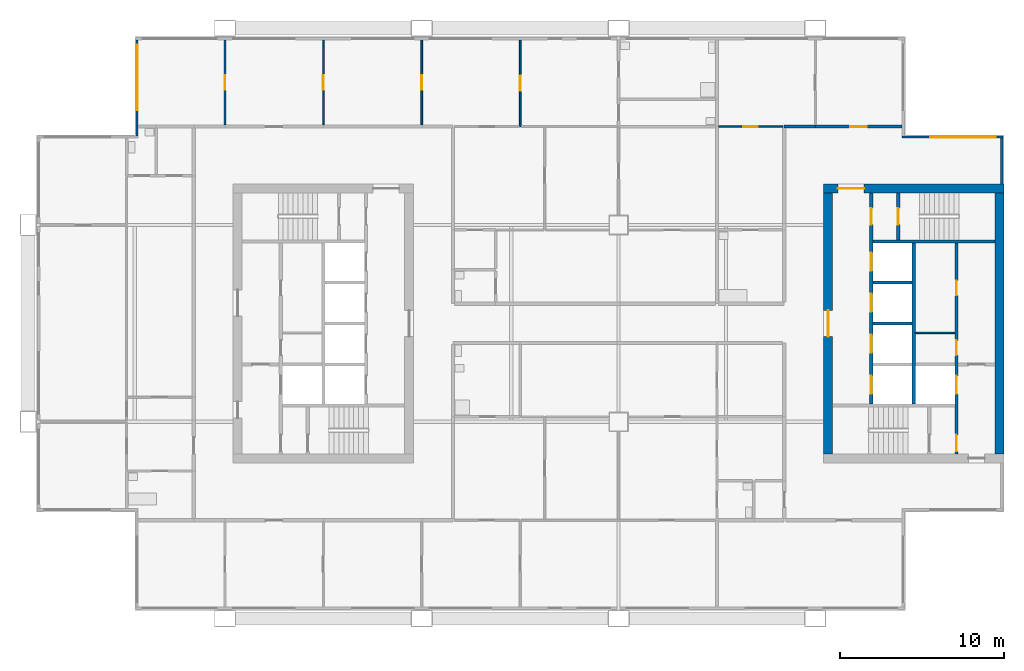
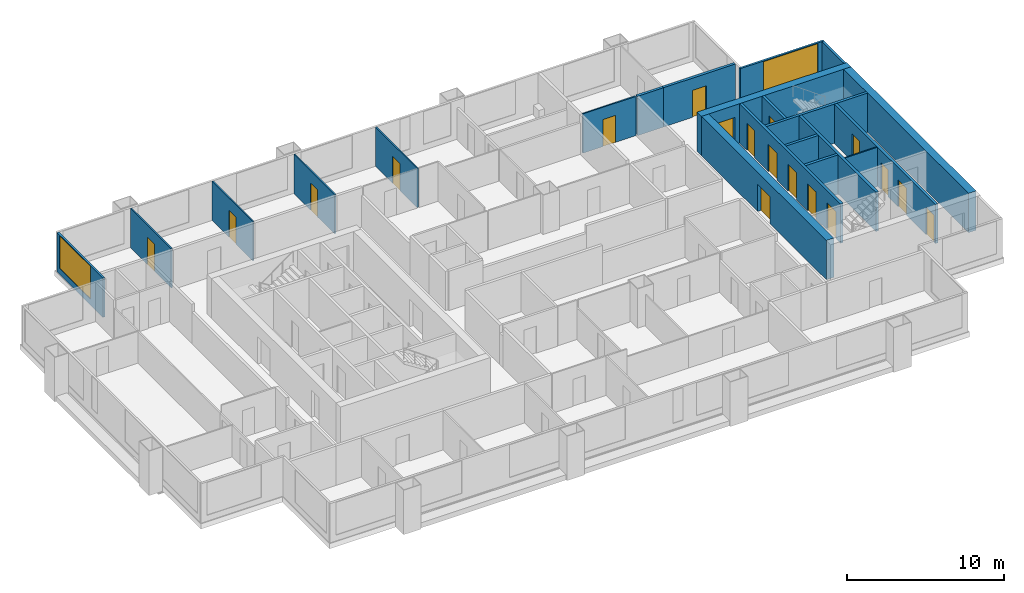
# One storey, part 6 of 9: 21 walls, 18 doors, 2 windows, 20 openings.
"""IFC4 building model written with IfcOpenShell, lengths in metres."""

from ifc_helpers import new_model, si_unit, direction, frame, frame_2d, origin, place, context, subcontext, project, spatial, rectangle, extrude, material, layer, layer_set, type_object, element, fill, save


model = new_model("IFC4")

# Units and contexts
model_context = context("Model", 3, precision=1e-05, world=origin(), true_north=direction((0.0, 1.0)))
body_context = subcontext(model_context, "Body", "Model", "MODEL_VIEW")
ifc_project = project(units=[si_unit("LENGTHUNIT", "METRE"), si_unit("AREAUNIT", "SQUARE_METRE"), si_unit("VOLUMEUNIT", "CUBIC_METRE"), si_unit("PLANEANGLEUNIT", "RADIAN"), si_unit("MASSUNIT", "GRAM", prefix="KILO")], contexts=[model_context])

# Site, building, storey
site_placement = place(None, origin())
site = spatial("IfcSite", under=ifc_project, at=site_placement, CompositionType="ELEMENT")
building_placement = place(site_placement, origin())
building = spatial("IfcBuilding", under=site, at=building_placement, Name="Kitamizu Gate Tower and Museum", CompositionType="ELEMENT")
storey_placement = place(building_placement, frame((0.0, 0.0, 182.39990234375)))
storey = spatial("IfcBuildingStorey", under=building, at=storey_placement, Name="L48", CompositionType="ELEMENT", Elevation=182.39990234375)

# Wall, opening, door
ifc_material_1 = material(Name="Concrete Fc42", Category="concrete")
ifc_layer_1 = layer(ifc_material_1, 0.550048828125)
ifc_layer_set_1 = layer_set([ifc_layer_1], Name="Concrete Fc42")
wall_type_1 = type_object("IfcWallType", Name="Core wall 550", PredefinedType="SHEAR", material=ifc_layer_set_1)
wall_1_placement = place(storey_placement, frame((59.5, 38.22509765625, 0.0), z_axis=(0.0, 0.0, 1.0), x_axis=(-1.0, 0.0, 0.0)))
wall_1 = element("IfcWall", 1, at=wall_1_placement, inside=storey, type_object=wall_type_1, Name="Core wall EN", PredefinedType="SHEAR", context=body_context, shape_type="SweptSolid", body=[
    extrude(rectangle(XDim=11.0, YDim=0.550048828125, at=frame_2d((5.5, 0.0))), origin(), (0.0, 0.0, 1.0), 3.050048828125),
])
opening_1_placement = place(wall_1_placement, frame((8.52490234375, 0.0, 0.0)))
opening_1 = element("IfcOpeningElement", 2, at=opening_1_placement, cuts=wall_1, Name="Opening L48-058", PredefinedType="OPENING", context=body_context, shape_type="SweptSolid", body=[
    extrude(rectangle(XDim=1.60009765625, YDim=2.10009765625, at=frame_2d((0.800048828125, 1.050048828125))), frame((0.0, 0.28515625, 0.0), z_axis=(0.0, -1.0, 0.0), x_axis=(1.0, 0.0, 0.0)), (0.0, 0.0, 1.0), 0.570068359375),
])
ifc_material_2 = material(Name="Timber door set", Category="wood")
door_type_1 = type_object("IfcDoorType", Name="Entrance door 1600", OperationType="DOUBLE_DOOR_SINGLE_SWING", PredefinedType="DOOR", material=ifc_material_2)
door_1_placement = place(opening_1_placement, origin())
door_1 = element("IfcDoor", 3, at=door_1_placement, inside=storey, type_object=door_type_1, Name="Lobby door L48-058", OperationType="DOUBLE_DOOR_SINGLE_SWING", OverallHeight=2.10009765625, OverallWidth=1.60009765625, PredefinedType="DOOR", context=body_context, shape_type="SweptSolid", body=[
    extrude(rectangle(XDim=1.60009765625, YDim=2.10009765625, at=frame_2d((0.800048828125, 1.050048828125))), frame((0.0, 0.02490234375, 0.0), z_axis=(0.0, -1.0, 0.0), x_axis=(1.0, 0.0, 0.0)), (0.0, 0.0, 1.0), 0.050048828125),
])
fill(opening_1, door_1)

# Wall
wall_2_placement = place(storey_placement, frame((59.22509765625, 22.050048828125, 0.0), z_axis=(0.0, 0.0, 1.0), x_axis=(0.0, 1.0, 0.0)))
element("IfcWall", 4, at=wall_2_placement, inside=storey, type_object=wall_type_1, Name="Core wall EOUT", PredefinedType="SHEAR", context=body_context, shape_type="SweptSolid", body=[
    extrude(rectangle(XDim=15.89990234375, YDim=0.550048828125, at=frame_2d((7.949951171875, 0.0))), origin(), (0.0, 0.0, 1.0), 3.050048828125),
])

# Wall, opening, door
wall_3_placement = place(storey_placement, frame((48.77490234375, 22.050048828125, 0.0), z_axis=(0.0, 0.0, 1.0), x_axis=(0.0, 1.0, 0.0)))
wall_3 = element("IfcWall", 5, at=wall_3_placement, inside=storey, type_object=wall_type_1, Name="Core wall EARC", PredefinedType="SHEAR", context=body_context, shape_type="SweptSolid", body=[
    extrude(rectangle(XDim=15.89990234375, YDim=0.550048828125, at=frame_2d((7.949951171875, 0.0))), origin(), (0.0, 0.0, 1.0), 3.050048828125),
])
opening_2_placement = place(wall_3_placement, frame((7.14990234375, 0.0, 0.0)))
opening_2 = element("IfcOpeningElement", 6, at=opening_2_placement, cuts=wall_3, Name="Opening L48-059", PredefinedType="OPENING", context=body_context, shape_type="SweptSolid", body=[
    extrude(rectangle(XDim=1.60009765625, YDim=2.10009765625, at=frame_2d((0.800048828125, 1.050048828125))), frame((0.0, 0.28515625, 0.0), z_axis=(0.0, -1.0, 0.0), x_axis=(1.0, 0.0, 0.0)), (0.0, 0.0, 1.0), 0.570068359375),
])
door_2_placement = place(opening_2_placement, origin())
door_2 = element("IfcDoor", 7, at=door_2_placement, inside=storey, type_object=door_type_1, Name="Lobby door L48-059", OperationType="DOUBLE_DOOR_SINGLE_SWING", OverallHeight=2.10009765625, OverallWidth=1.60009765625, PredefinedType="DOOR", context=body_context, shape_type="SweptSolid", body=[
    extrude(rectangle(XDim=1.60009765625, YDim=2.10009765625, at=frame_2d((0.800048828125, 1.050048828125))), frame((0.0, 0.02490234375, 0.0), z_axis=(0.0, -1.0, 0.0), x_axis=(1.0, 0.0, 0.0)), (0.0, 0.0, 1.0), 0.050048828125),
])
fill(opening_2, door_2)

# Wall
ifc_material_3 = material(Name="Gypsum board on galvanised stud")
ifc_layer_2 = layer(ifc_material_3, 0.10009765625)
ifc_layer_set_2 = layer_set([ifc_layer_2], Name="Gypsum board on galvanised stud")
wall_type_2 = type_object("IfcWallType", Name="Partition 100", PredefinedType="PARTITIONING", material=ifc_layer_set_2)
wall_4_placement = place(storey_placement, frame((56.5, 29.425048828125, 0.0), z_axis=(0.0, 0.0, 1.0), x_axis=(-1.0, 0.0, 0.0)))
element("IfcWall", 8, at=wall_4_placement, inside=storey, type_object=wall_type_2, Name="Partition EPF1", PredefinedType="PARTITIONING", context=body_context, shape_type="SweptSolid", body=[
    extrude(rectangle(XDim=2.39990234375, YDim=0.10009765625, at=frame_2d((1.199951171875, 0.0))), origin(), (0.0, 0.0, 1.0), 3.050048828125),
])

# Wall, opening, door
ifc_material_4 = material(Name="Gypsum board on galvanised stud")
ifc_layer_3 = layer(ifc_material_4, 0.10009765625)
ifc_layer_set_3 = layer_set([ifc_layer_3], Name="Gypsum board on galvanised stud")
wall_type_3 = type_object("IfcWallType", Name="Partition 100 NOT RATED", PredefinedType="PARTITIONING", material=ifc_layer_set_3)
wall_5_placement = place(storey_placement, frame((12.0, 42.10009765625, 0.0), z_axis=(0.0, 0.0, 1.0), x_axis=(0.0, 1.0, 0.0)))
wall_5 = element("IfcWall", 9, at=wall_5_placement, inside=storey, type_object=wall_type_3, Name="Partition L48-041", PredefinedType="PARTITIONING", context=body_context, shape_type="SweptSolid", body=[
    extrude(rectangle(XDim=5.179931640625, YDim=0.10009765625, at=frame_2d((2.58984375, 0.0))), origin(), (0.0, 0.0, 1.0), 3.050048828125),
])
opening_3_placement = place(wall_5_placement, frame((2.139892578125, 0.0, 0.0)))
opening_3 = element("IfcOpeningElement", 10, at=opening_3_placement, cuts=wall_5, Name="Opening L48-017", PredefinedType="OPENING", context=body_context, shape_type="SweptSolid", body=[
    extrude(rectangle(XDim=0.89990234375, YDim=2.10009765625, at=frame_2d((0.449951171875, 1.050048828125))), frame((0.0, 0.06005859375, 0.0), z_axis=(0.0, -1.0, 0.0), x_axis=(1.0, 0.0, 0.0)), (0.0, 0.0, 1.0), 0.1201171875),
])
ifc_material_5 = material(Name="Timber door set", Category="wood")
door_type_2 = type_object("IfcDoorType", Name="Room door 900", OperationType="NOTDEFINED", PredefinedType="DOOR", material=ifc_material_5)
door_3_placement = place(opening_3_placement, origin())
door_3 = element("IfcDoor", 11, at=door_3_placement, inside=storey, type_object=door_type_2, Name="Door L48-017", OperationType="SINGLE_SWING_RIGHT", OverallHeight=2.10009765625, OverallWidth=0.89990234375, PredefinedType="DOOR", context=body_context, shape_type="SweptSolid", body=[
    extrude(rectangle(XDim=0.89990234375, YDim=2.10009765625, at=frame_2d((0.449951171875, 1.050048828125))), frame((0.0, 0.02490234375, 0.0), z_axis=(0.0, -1.0, 0.0), x_axis=(1.0, 0.0, 0.0)), (0.0, 0.0, 1.0), 0.050048828125),
])
fill(opening_3, door_3)

wall_6_placement = place(storey_placement, frame((18.0, 42.10009765625, 0.0), z_axis=(0.0, 0.0, 1.0), x_axis=(0.0, 1.0, 0.0)))
wall_6 = element("IfcWall", 12, at=wall_6_placement, inside=storey, type_object=wall_type_3, Name="Partition L48-045", PredefinedType="PARTITIONING", context=body_context, shape_type="SweptSolid", body=[
    extrude(rectangle(XDim=5.179931640625, YDim=0.10009765625, at=frame_2d((2.58984375, 0.0))), origin(), (0.0, 0.0, 1.0), 3.050048828125),
])
opening_4_placement = place(wall_6_placement, frame((2.139892578125, 0.0, 0.0)))
opening_4 = element("IfcOpeningElement", 13, at=opening_4_placement, cuts=wall_6, Name="Opening L48-016", PredefinedType="OPENING", context=body_context, shape_type="SweptSolid", body=[
    extrude(rectangle(XDim=0.89990234375, YDim=2.10009765625, at=frame_2d((0.449951171875, 1.050048828125))), frame((0.0, 0.06005859375, 0.0), z_axis=(0.0, -1.0, 0.0), x_axis=(1.0, 0.0, 0.0)), (0.0, 0.0, 1.0), 0.1201171875),
])
door_4_placement = place(opening_4_placement, frame((0.89990234375, 0.0, 0.0), x_axis=(-1.0, 0.0, 0.0)))
door_4 = element("IfcDoor", 14, at=door_4_placement, inside=storey, type_object=door_type_2, Name="Door L48-016", OperationType="SINGLE_SWING_RIGHT", OverallHeight=2.10009765625, OverallWidth=0.89990234375, PredefinedType="DOOR", context=body_context, shape_type="SweptSolid", body=[
    extrude(rectangle(XDim=0.89990234375, YDim=2.10009765625, at=frame_2d((0.449951171875, 1.050048828125))), frame((0.0, 0.02490234375, 0.0), z_axis=(0.0, -1.0, 0.0), x_axis=(1.0, 0.0, 0.0)), (0.0, 0.0, 1.0), 0.050048828125),
])
fill(opening_4, door_4)

wall_7_placement = place(storey_placement, frame((24.0, 42.10009765625, 0.0), z_axis=(0.0, 0.0, 1.0), x_axis=(0.0, 1.0, 0.0)))
wall_7 = element("IfcWall", 15, at=wall_7_placement, inside=storey, type_object=wall_type_3, Name="Partition L48-047", PredefinedType="PARTITIONING", context=body_context, shape_type="SweptSolid", body=[
    extrude(rectangle(XDim=5.179931640625, YDim=0.10009765625, at=frame_2d((2.58984375, 0.0))), origin(), (0.0, 0.0, 1.0), 3.050048828125),
])
opening_5_placement = place(wall_7_placement, frame((2.139892578125, 0.0, 0.0)))
opening_5 = element("IfcOpeningElement", 16, at=opening_5_placement, cuts=wall_7, Name="Opening L48-018", PredefinedType="OPENING", context=body_context, shape_type="SweptSolid", body=[
    extrude(rectangle(XDim=0.89990234375, YDim=2.10009765625, at=frame_2d((0.449951171875, 1.050048828125))), frame((0.0, 0.06005859375, 0.0), z_axis=(0.0, -1.0, 0.0), x_axis=(1.0, 0.0, 0.0)), (0.0, 0.0, 1.0), 0.1201171875),
])
door_5_placement = place(opening_5_placement, origin())
door_5 = element("IfcDoor", 17, at=door_5_placement, inside=storey, type_object=door_type_2, Name="Door L48-018", OperationType="SINGLE_SWING_LEFT", OverallHeight=2.10009765625, OverallWidth=0.89990234375, PredefinedType="DOOR", context=body_context, shape_type="SweptSolid", body=[
    extrude(rectangle(XDim=0.89990234375, YDim=2.10009765625, at=frame_2d((0.449951171875, 1.050048828125))), frame((0.0, 0.02490234375, 0.0), z_axis=(0.0, -1.0, 0.0), x_axis=(1.0, 0.0, 0.0)), (0.0, 0.0, 1.0), 0.050048828125),
])
fill(opening_5, door_5)

wall_8_placement = place(storey_placement, frame((30.0, 42.0, 0.0), z_axis=(0.0, 0.0, 1.0), x_axis=(0.0, 1.0, 0.0)))
wall_8 = element("IfcWall", 18, at=wall_8_placement, inside=storey, type_object=wall_type_3, Name="Partition L48-049", PredefinedType="PARTITIONING", context=body_context, shape_type="SweptSolid", body=[
    extrude(rectangle(XDim=5.280029296875, YDim=0.10009765625, at=frame_2d((2.64013671875, 0.0))), origin(), (0.0, 0.0, 1.0), 3.050048828125),
])
opening_6_placement = place(wall_8_placement, frame((2.18994140625, 0.0, 0.0)))
opening_6 = element("IfcOpeningElement", 19, at=opening_6_placement, cuts=wall_8, Name="Opening L48-019", PredefinedType="OPENING", context=body_context, shape_type="SweptSolid", body=[
    extrude(rectangle(XDim=0.89990234375, YDim=2.10009765625, at=frame_2d((0.449951171875, 1.050048828125))), frame((0.0, 0.06005859375, 0.0), z_axis=(0.0, -1.0, 0.0), x_axis=(1.0, 0.0, 0.0)), (0.0, 0.0, 1.0), 0.1201171875),
])
door_6_placement = place(opening_6_placement, origin())
door_6 = element("IfcDoor", 20, at=door_6_placement, inside=storey, type_object=door_type_2, Name="Door L48-019", OperationType="SINGLE_SWING_RIGHT", OverallHeight=2.10009765625, OverallWidth=0.89990234375, PredefinedType="DOOR", context=body_context, shape_type="SweptSolid", body=[
    extrude(rectangle(XDim=0.89990234375, YDim=2.10009765625, at=frame_2d((0.449951171875, 1.050048828125))), frame((0.0, 0.02490234375, 0.0), z_axis=(0.0, -1.0, 0.0), x_axis=(1.0, 0.0, 0.0)), (0.0, 0.0, 1.0), 0.050048828125),
])
fill(opening_6, door_6)

wall_9_placement = place(storey_placement, frame((42.10009765625, 42.0, 0.0), z_axis=(0.0, 0.0, 1.0), x_axis=(1.0, 0.0, 0.0)))
wall_9 = element("IfcWall", 21, at=wall_9_placement, inside=storey, type_object=wall_type_3, Name="Partition L48-099", PredefinedType="PARTITIONING", context=body_context, shape_type="SweptSolid", body=[
    extrude(rectangle(XDim=3.89990234375, YDim=0.10009765625, at=frame_2d((1.949951171875, 0.0))), origin(), (0.0, 0.0, 1.0), 3.050048828125),
])
opening_7_placement = place(wall_9_placement, frame((1.5, 0.0, 0.0)))
opening_7 = element("IfcOpeningElement", 22, at=opening_7_placement, cuts=wall_9, Name="Opening L48-038", PredefinedType="OPENING", context=body_context, shape_type="SweptSolid", body=[
    extrude(rectangle(XDim=0.89990234375, YDim=2.10009765625, at=frame_2d((0.449951171875, 1.050048828125))), frame((0.0, 0.06005859375, 0.0), z_axis=(0.0, -1.0, 0.0), x_axis=(1.0, 0.0, 0.0)), (0.0, 0.0, 1.0), 0.1201171875),
])
door_7_placement = place(opening_7_placement, frame((0.89990234375, 0.0, 0.0), x_axis=(-1.0, 0.0, 0.0)))
door_7 = element("IfcDoor", 23, at=door_7_placement, inside=storey, type_object=door_type_2, Name="Door L48-038", OperationType="SINGLE_SWING_LEFT", OverallHeight=2.10009765625, OverallWidth=0.89990234375, PredefinedType="DOOR", context=body_context, shape_type="SweptSolid", body=[
    extrude(rectangle(XDim=0.89990234375, YDim=2.10009765625, at=frame_2d((0.449951171875, 1.050048828125))), frame((0.0, 0.02490234375, 0.0), z_axis=(0.0, -1.0, 0.0), x_axis=(1.0, 0.0, 0.0)), (0.0, 0.0, 1.0), 0.050048828125),
])
fill(opening_7, door_7)

# Wall
ifc_material_6 = material(Name="Gypsum board on galvanised stud")
ifc_layer_4 = layer(ifc_material_6, 0.199951171875)
ifc_layer_set_4 = layer_set([ifc_layer_4], Name="Gypsum board on galvanised stud")
wall_type_4 = type_object("IfcWallType", Name="Partition 200", PredefinedType="PARTITIONING", material=ifc_layer_set_4)
wall_10_placement = place(storey_placement, frame((46.10009765625, 42.0, 0.0), z_axis=(0.0, 0.0, 1.0), x_axis=(1.0, 0.0, 0.0)))
element("IfcWall", 24, at=wall_10_placement, inside=storey, type_object=wall_type_4, Name="Partition L48-100", PredefinedType="PARTITIONING", context=body_context, shape_type="SweptSolid", body=[
    extrude(rectangle(XDim=1.89990234375, YDim=0.199951171875, at=frame_2d((0.949951171875, 0.0))), origin(), (0.0, 0.0, 1.0), 3.050048828125),
])

# Wall, opening, door
wall_11_placement = place(storey_placement, frame((48.0, 42.0, 0.0), z_axis=(0.0, 0.0, 1.0), x_axis=(1.0, 0.0, 0.0)))
wall_11 = element("IfcWall", 25, at=wall_11_placement, inside=storey, type_object=wall_type_4, Name="Partition L48-101", PredefinedType="PARTITIONING", context=body_context, shape_type="SweptSolid", body=[
    extrude(rectangle(XDim=5.280029296875, YDim=0.199951171875, at=frame_2d((2.64013671875, 0.0))), origin(), (0.0, 0.0, 1.0), 3.050048828125),
])
opening_8_placement = place(wall_11_placement, frame((2.139892578125, 0.0, 0.0)))
opening_8 = element("IfcOpeningElement", 26, at=opening_8_placement, cuts=wall_11, Name="Opening L48-036", PredefinedType="OPENING", context=body_context, shape_type="SweptSolid", body=[
    extrude(rectangle(XDim=1.0, YDim=2.10009765625, at=frame_2d((0.5, 1.050048828125))), frame((0.0, 0.10986328125, 0.0), z_axis=(0.0, -1.0, 0.0), x_axis=(1.0, 0.0, 0.0)), (0.0, 0.0, 1.0), 0.219970703125),
])
ifc_material_7 = material(Name="Timber door set", Category="wood")
door_type_3 = type_object("IfcDoorType", Name="Flat entrance door 1000", OperationType="NOTDEFINED", PredefinedType="DOOR", material=ifc_material_7)
door_8_placement = place(opening_8_placement, origin())
door_8 = element("IfcDoor", 27, at=door_8_placement, inside=storey, type_object=door_type_3, Name="Flat entrance door L48-036", OperationType="SINGLE_SWING_RIGHT", OverallHeight=2.10009765625, OverallWidth=1.0, PredefinedType="DOOR", context=body_context, shape_type="SweptSolid", body=[
    extrude(rectangle(XDim=1.0, YDim=2.10009765625, at=frame_2d((0.5, 1.050048828125))), frame((0.0, 0.02490234375, 0.0), z_axis=(0.0, -1.0, 0.0), x_axis=(1.0, 0.0, 0.0)), (0.0, 0.0, 1.0), 0.050048828125),
])
fill(opening_8, door_8)

# Wall, openings, doors
ifc_material_8 = material(Name="Concrete Fc42", Category="concrete")
ifc_layer_5 = layer(ifc_material_8, 0.199951171875)
ifc_layer_set_5 = layer_set([ifc_layer_5], Name="Concrete Fc42")
wall_type_5 = type_object("IfcWallType", Name="Shaft wall 200", PredefinedType="SOLIDWALL", material=ifc_layer_set_5)
wall_12_placement = place(storey_placement, frame((56.60009765625, 22.050048828125, 0.0), z_axis=(0.0, 0.0, 1.0), x_axis=(0.0, 1.0, 0.0)))
wall_12 = element("IfcWall", 28, at=wall_12_placement, inside=storey, type_object=wall_type_5, Name="Shaft wall EWEST", PredefinedType="SOLIDWALL", context=body_context, shape_type="SweptSolid", body=[
    extrude(rectangle(XDim=12.849853515625, YDim=0.199951171875, at=frame_2d((6.4248046875, 0.0))), origin(), (0.0, 0.0, 1.0), 3.050048828125),
])
opening_9_placement = place(wall_12_placement, frame((3.64990234375, 0.0, 0.0)))
opening_9 = element("IfcOpeningElement", 29, at=opening_9_placement, cuts=wall_12, Name="Opening LD", PredefinedType="OPENING", context=body_context, shape_type="SweptSolid", body=[
    extrude(rectangle(XDim=1.10009765625, YDim=2.10009765625, at=frame_2d((0.550048828125, 1.050048828125))), frame((0.0, 0.10986328125, 0.0), z_axis=(0.0, -1.0, 0.0), x_axis=(1.0, 0.0, 0.0)), (0.0, 0.0, 1.0), 0.219970703125),
])
opening_10_placement = place(wall_12_placement, frame((0.14990234375, 0.0, 0.0)))
opening_10 = element("IfcOpeningElement", 30, at=opening_10_placement, cuts=wall_12, Name="Opening L48-053", PredefinedType="OPENING", context=body_context, shape_type="SweptSolid", body=[
    extrude(rectangle(XDim=1.0, YDim=2.10009765625, at=frame_2d((0.5, 1.050048828125))), frame((0.0, 0.10986328125, 0.0), z_axis=(0.0, -1.0, 0.0), x_axis=(1.0, 0.0, 0.0)), (0.0, 0.0, 1.0), 0.219970703125),
])
opening_11_placement = place(wall_12_placement, frame((6.012451171875, 0.0, 0.0)))
opening_11 = element("IfcOpeningElement", 31, at=opening_11_placement, cuts=wall_12, Name="Opening L48-060", PredefinedType="OPENING", context=body_context, shape_type="SweptSolid", body=[
    extrude(rectangle(XDim=0.89990234375, YDim=2.10009765625, at=frame_2d((0.449951171875, 1.050048828125))), frame((0.0, 0.10986328125, 0.0), z_axis=(0.0, -1.0, 0.0), x_axis=(1.0, 0.0, 0.0)), (0.0, 0.0, 1.0), 0.219970703125),
])
opening_12_placement = place(wall_12_placement, frame((9.66259765625, 0.0, 0.0)))
opening_12 = element("IfcOpeningElement", 32, at=opening_12_placement, cuts=wall_12, Name="Opening L48-061", PredefinedType="OPENING", context=body_context, shape_type="SweptSolid", body=[
    extrude(rectangle(XDim=0.89990234375, YDim=2.10009765625, at=frame_2d((0.449951171875, 1.050048828125))), frame((0.0, 0.10986328125, 0.0), z_axis=(0.0, -1.0, 0.0), x_axis=(1.0, 0.0, 0.0)), (0.0, 0.0, 1.0), 0.219970703125),
])
ifc_material_9 = material(Name="Hollow metal door set")
door_type_4 = type_object("IfcDoorType", Name="Fire door 1000", OperationType="NOTDEFINED", PredefinedType="DOOR", material=ifc_material_9)
door_9_placement = place(opening_10_placement, origin())
door_9 = element("IfcDoor", 33, at=door_9_placement, inside=storey, type_object=door_type_4, Name="Stair lobby door L48-053", OperationType="SINGLE_SWING_RIGHT", OverallHeight=2.10009765625, OverallWidth=1.0, PredefinedType="DOOR", context=body_context, shape_type="SweptSolid", body=[
    extrude(rectangle(XDim=1.0, YDim=2.10009765625, at=frame_2d((0.5, 1.050048828125))), frame((0.0, 0.02490234375, 0.0), z_axis=(0.0, -1.0, 0.0), x_axis=(1.0, 0.0, 0.0)), (0.0, 0.0, 1.0), 0.050048828125),
])
fill(opening_10, door_9)
ifc_material_10 = material(Name="Hollow metal door set")
door_type_5 = type_object("IfcDoorType", Name="Landing door 1100", OperationType="SLIDING_TO_LEFT", PredefinedType="DOOR", material=ifc_material_10)
door_10_placement = place(opening_9_placement, origin())
door_10 = element("IfcDoor", 34, at=door_10_placement, inside=storey, type_object=door_type_5, Name="Landing door EFF1", OperationType="SLIDING_TO_LEFT", OverallHeight=2.10009765625, OverallWidth=1.10009765625, PredefinedType="DOOR", context=body_context, shape_type="SweptSolid", body=[
    extrude(rectangle(XDim=1.10009765625, YDim=2.10009765625, at=frame_2d((0.550048828125, 1.050048828125))), frame((0.0, 0.02490234375, 0.0), z_axis=(0.0, -1.0, 0.0), x_axis=(1.0, 0.0, 0.0)), (0.0, 0.0, 1.0), 0.050048828125),
])
fill(opening_9, door_10)
ifc_material_11 = material(Name="Timber door set", Category="wood")
door_type_6 = type_object("IfcDoorType", Name="Service door 900", OperationType="NOTDEFINED", PredefinedType="DOOR", material=ifc_material_11)
door_11_placement = place(opening_11_placement, origin())
door_11 = element("IfcDoor", 35, at=door_11_placement, inside=storey, type_object=door_type_6, Name="Service door L48-060", OperationType="SINGLE_SWING_LEFT", OverallHeight=2.10009765625, OverallWidth=0.89990234375, PredefinedType="DOOR", context=body_context, shape_type="SweptSolid", body=[
    extrude(rectangle(XDim=0.89990234375, YDim=2.10009765625, at=frame_2d((0.449951171875, 1.050048828125))), frame((0.0, 0.02490234375, 0.0), z_axis=(0.0, -1.0, 0.0), x_axis=(1.0, 0.0, 0.0)), (0.0, 0.0, 1.0), 0.050048828125),
])
fill(opening_11, door_11)
door_12_placement = place(opening_12_placement, origin())
door_12 = element("IfcDoor", 36, at=door_12_placement, inside=storey, type_object=door_type_6, Name="Service door L48-061", OperationType="SINGLE_SWING_RIGHT", OverallHeight=2.10009765625, OverallWidth=0.89990234375, PredefinedType="DOOR", context=body_context, shape_type="SweptSolid", body=[
    extrude(rectangle(XDim=0.89990234375, YDim=2.10009765625, at=frame_2d((0.449951171875, 1.050048828125))), frame((0.0, 0.02490234375, 0.0), z_axis=(0.0, -1.0, 0.0), x_axis=(1.0, 0.0, 0.0)), (0.0, 0.0, 1.0), 0.050048828125),
])
fill(opening_12, door_12)

wall_13_placement = place(storey_placement, frame((51.39990234375, 25.10009765625, 0.0), z_axis=(0.0, 0.0, 1.0), x_axis=(0.0, 1.0, 0.0)))
wall_13 = element("IfcWall", 37, at=wall_13_placement, inside=storey, type_object=wall_type_5, Name="Shaft wall EEAST", PredefinedType="SOLIDWALL", context=body_context, shape_type="SweptSolid", body=[
    extrude(rectangle(XDim=12.849853515625, YDim=0.199951171875, at=frame_2d((6.4248046875, 0.0))), origin(), (0.0, 0.0, 1.0), 3.050048828125),
])
opening_13_placement = place(wall_13_placement, frame((0.60009765625, 0.0, 0.0)))
opening_13 = element("IfcOpeningElement", 38, at=opening_13_placement, cuts=wall_13, Name="Opening LD", PredefinedType="OPENING", context=body_context, shape_type="SweptSolid", body=[
    extrude(rectangle(XDim=1.10009765625, YDim=2.10009765625, at=frame_2d((0.550048828125, 1.050048828125))), frame((0.0, 0.10986328125, 0.0), z_axis=(0.0, -1.0, 0.0), x_axis=(1.0, 0.0, 0.0)), (0.0, 0.0, 1.0), 0.219970703125),
])
opening_14_placement = place(wall_13_placement, frame((3.10009765625, 0.0, 0.0)))
opening_14 = element("IfcOpeningElement", 39, at=opening_14_placement, cuts=wall_13, Name="Opening LD", PredefinedType="OPENING", context=body_context, shape_type="SweptSolid", body=[
    extrude(rectangle(XDim=1.10009765625, YDim=2.10009765625, at=frame_2d((0.550048828125, 1.050048828125))), frame((0.0, 0.10986328125, 0.0), z_axis=(0.0, -1.0, 0.0), x_axis=(1.0, 0.0, 0.0)), (0.0, 0.0, 1.0), 0.219970703125),
])
opening_15_placement = place(wall_13_placement, frame((5.60009765625, 0.0, 0.0)))
opening_15 = element("IfcOpeningElement", 40, at=opening_15_placement, cuts=wall_13, Name="Opening LD", PredefinedType="OPENING", context=body_context, shape_type="SweptSolid", body=[
    extrude(rectangle(XDim=1.10009765625, YDim=2.10009765625, at=frame_2d((0.550048828125, 1.050048828125))), frame((0.0, 0.10986328125, 0.0), z_axis=(0.0, -1.0, 0.0), x_axis=(1.0, 0.0, 0.0)), (0.0, 0.0, 1.0), 0.219970703125),
])
opening_16_placement = place(wall_13_placement, frame((8.10009765625, 0.0, 0.0)))
opening_16 = element("IfcOpeningElement", 41, at=opening_16_placement, cuts=wall_13, Name="Opening LD", PredefinedType="OPENING", context=body_context, shape_type="SweptSolid", body=[
    extrude(rectangle(XDim=1.10009765625, YDim=2.10009765625, at=frame_2d((0.550048828125, 1.050048828125))), frame((0.0, 0.10986328125, 0.0), z_axis=(0.0, -1.0, 0.0), x_axis=(1.0, 0.0, 0.0)), (0.0, 0.0, 1.0), 0.219970703125),
])
opening_17_placement = place(wall_13_placement, frame((10.925048828125, 0.0, 0.0)))
opening_17 = element("IfcOpeningElement", 42, at=opening_17_placement, cuts=wall_13, Name="Opening L48-054", PredefinedType="OPENING", context=body_context, shape_type="SweptSolid", body=[
    extrude(rectangle(XDim=1.0, YDim=2.10009765625, at=frame_2d((0.5, 1.050048828125))), frame((0.0, 0.10986328125, 0.0), z_axis=(0.0, -1.0, 0.0), x_axis=(1.0, 0.0, 0.0)), (0.0, 0.0, 1.0), 0.219970703125),
])
door_13_placement = place(opening_17_placement, frame((1.0, 0.0, 0.0), x_axis=(-1.0, 0.0, 0.0)))
door_13 = element("IfcDoor", 43, at=door_13_placement, inside=storey, type_object=door_type_4, Name="Stair lobby door L48-054", OperationType="SINGLE_SWING_RIGHT", OverallHeight=2.10009765625, OverallWidth=1.0, PredefinedType="DOOR", context=body_context, shape_type="SweptSolid", body=[
    extrude(rectangle(XDim=1.0, YDim=2.10009765625, at=frame_2d((0.5, 1.050048828125))), frame((0.0, 0.02490234375, 0.0), z_axis=(0.0, -1.0, 0.0), x_axis=(1.0, 0.0, 0.0)), (0.0, 0.0, 1.0), 0.050048828125),
])
fill(opening_17, door_13)
door_14_placement = place(opening_13_placement, origin())
door_14 = element("IfcDoor", 44, at=door_14_placement, inside=storey, type_object=door_type_5, Name="Landing door ESV1", OperationType="SLIDING_TO_LEFT", OverallHeight=2.10009765625, OverallWidth=1.10009765625, PredefinedType="DOOR", context=body_context, shape_type="SweptSolid", body=[
    extrude(rectangle(XDim=1.10009765625, YDim=2.10009765625, at=frame_2d((0.550048828125, 1.050048828125))), frame((0.0, 0.02490234375, 0.0), z_axis=(0.0, -1.0, 0.0), x_axis=(1.0, 0.0, 0.0)), (0.0, 0.0, 1.0), 0.050048828125),
])
fill(opening_13, door_14)
door_15_placement = place(opening_14_placement, origin())
door_15 = element("IfcDoor", 45, at=door_15_placement, inside=storey, type_object=door_type_5, Name="Landing door EH1", OperationType="SLIDING_TO_LEFT", OverallHeight=2.10009765625, OverallWidth=1.10009765625, PredefinedType="DOOR", context=body_context, shape_type="SweptSolid", body=[
    extrude(rectangle(XDim=1.10009765625, YDim=2.10009765625, at=frame_2d((0.550048828125, 1.050048828125))), frame((0.0, 0.02490234375, 0.0), z_axis=(0.0, -1.0, 0.0), x_axis=(1.0, 0.0, 0.0)), (0.0, 0.0, 1.0), 0.050048828125),
])
fill(opening_14, door_15)
door_16_placement = place(opening_15_placement, origin())
door_16 = element("IfcDoor", 46, at=door_16_placement, inside=storey, type_object=door_type_5, Name="Landing door EH2", OperationType="SLIDING_TO_LEFT", OverallHeight=2.10009765625, OverallWidth=1.10009765625, PredefinedType="DOOR", context=body_context, shape_type="SweptSolid", body=[
    extrude(rectangle(XDim=1.10009765625, YDim=2.10009765625, at=frame_2d((0.550048828125, 1.050048828125))), frame((0.0, 0.02490234375, 0.0), z_axis=(0.0, -1.0, 0.0), x_axis=(1.0, 0.0, 0.0)), (0.0, 0.0, 1.0), 0.050048828125),
])
fill(opening_15, door_16)
door_17_placement = place(opening_16_placement, origin())
door_17 = element("IfcDoor", 47, at=door_17_placement, inside=storey, type_object=door_type_5, Name="Landing door EH3", OperationType="SLIDING_TO_LEFT", OverallHeight=2.10009765625, OverallWidth=1.10009765625, PredefinedType="DOOR", context=body_context, shape_type="SweptSolid", body=[
    extrude(rectangle(XDim=1.10009765625, YDim=2.10009765625, at=frame_2d((0.550048828125, 1.050048828125))), frame((0.0, 0.02490234375, 0.0), z_axis=(0.0, -1.0, 0.0), x_axis=(1.0, 0.0, 0.0)), (0.0, 0.0, 1.0), 0.050048828125),
])
fill(opening_16, door_17)

# Walls
wall_14_placement = place(storey_placement, frame((54.0, 25.10009765625, 0.0), z_axis=(0.0, 0.0, 1.0), x_axis=(0.0, 1.0, 0.0)))
element("IfcWall", 48, at=wall_14_placement, inside=storey, type_object=wall_type_5, Name="Shaft wall EMID", PredefinedType="SOLIDWALL", context=body_context, shape_type="SweptSolid", body=[
    extrude(rectangle(XDim=9.7998046875, YDim=0.199951171875, at=frame_2d((4.89990234375, 0.0))), origin(), (0.0, 0.0, 1.0), 3.050048828125),
])
wall_15_placement = place(storey_placement, frame((58.949951171875, 35.0, 0.0), z_axis=(0.0, 0.0, 1.0), x_axis=(-1.0, 0.0, 0.0)))
element("IfcWall", 49, at=wall_15_placement, inside=storey, type_object=wall_type_5, Name="Shaft wall ENB", PredefinedType="SOLIDWALL", context=body_context, shape_type="SweptSolid", body=[
    extrude(rectangle(XDim=7.449951171875, YDim=0.199951171875, at=frame_2d((3.72509765625, 0.0))), origin(), (0.0, 0.0, 1.0), 3.050048828125),
])

# Wall, opening, door
wall_16_placement = place(storey_placement, frame((53.050048828125, 35.10009765625, 0.0), z_axis=(0.0, 0.0, 1.0), x_axis=(0.0, 1.0, 0.0)))
wall_16 = element("IfcWall", 50, at=wall_16_placement, inside=storey, type_object=wall_type_5, Name="Shaft wall ENZ", PredefinedType="SOLIDWALL", context=body_context, shape_type="SweptSolid", body=[
    extrude(rectangle(XDim=2.849853515625, YDim=0.199951171875, at=frame_2d((1.4248046875, 0.0))), origin(), (0.0, 0.0, 1.0), 3.050048828125),
])
opening_18_placement = place(wall_16_placement, frame((0.925048828125, 0.0, 0.0)))
opening_18 = element("IfcOpeningElement", 51, at=opening_18_placement, cuts=wall_16, Name="Opening L48-055", PredefinedType="OPENING", context=body_context, shape_type="SweptSolid", body=[
    extrude(rectangle(XDim=1.0, YDim=2.10009765625, at=frame_2d((0.5, 1.050048828125))), frame((0.0, 0.10986328125, 0.0), z_axis=(0.0, -1.0, 0.0), x_axis=(1.0, 0.0, 0.0)), (0.0, 0.0, 1.0), 0.219970703125),
])
door_18_placement = place(opening_18_placement, frame((1.0, 0.0, 0.0), x_axis=(-1.0, 0.0, 0.0)))
door_18 = element("IfcDoor", 52, at=door_18_placement, inside=storey, type_object=door_type_4, Name="Stair door L48-055", OperationType="SINGLE_SWING_LEFT", OverallHeight=2.10009765625, OverallWidth=1.0, PredefinedType="DOOR", context=body_context, shape_type="SweptSolid", body=[
    extrude(rectangle(XDim=1.0, YDim=2.10009765625, at=frame_2d((0.5, 1.050048828125))), frame((0.0, 0.02490234375, 0.0), z_axis=(0.0, -1.0, 0.0), x_axis=(1.0, 0.0, 0.0)), (0.0, 0.0, 1.0), 0.050048828125),
])
fill(opening_18, door_18)

# Walls
for number, where, z_axis, x_axis, name in (
    (53, (53.89990234375, 30.0, 0.0), (0.0, 0.0, 1.0), (-1.0, 0.0, 0.0), "Shaft wall EDVE1"),
    (54, (53.89990234375, 32.5, 0.0), (0.0, 0.0, 1.0), (-1.0, 0.0, 0.0), "Shaft wall EDVE2"),
):
    element("IfcWall", number, at=place(storey_placement, frame(where, z_axis=z_axis, x_axis=x_axis)), inside=storey, type_object=wall_type_5, Name=name, PredefinedType="SOLIDWALL", context=body_context, shape_type="SweptSolid", body=[
        extrude(rectangle(XDim=2.39990234375, YDim=0.199951171875, at=frame_2d((1.199951171875, 0.0))), origin(), (0.0, 0.0, 1.0), 3.050048828125),
    ])
ifc_material_12 = material(Name="Bronze anodised aluminium frame with insulated spandrel and tinted glass", Category="aluminium")
ifc_layer_6 = layer(ifc_material_12, 0.14990234375)
ifc_layer_set_6 = layer_set([ifc_layer_6], Name="Bronze anodised aluminium frame with insulated spandrel and tinted glass")
wall_type_6 = type_object("IfcWallType", Name="WINDOW WALL 150 BRONZE FRAME EI 30", PredefinedType="ELEMENTEDWALL", material=ifc_layer_set_6)
wall_17_placement = place(storey_placement, frame((59.364990234375, 38.5, 0.0), z_axis=(0.0, 0.0, 1.0), x_axis=(0.0, 1.0, 0.0)))
element("IfcWall", 55, at=wall_17_placement, inside=storey, type_object=wall_type_6, Name="Window wall east L48", PredefinedType="ELEMENTEDWALL", context=body_context, shape_type="SweptSolid", body=[
    extrude(rectangle(XDim=2.7900390625, YDim=0.14990234375, at=frame_2d((1.39501953125, 0.0))), origin(), (0.0, 0.0, 1.0), 3.050048828125),
])

# Wall, opening, window
wall_18_placement = place(storey_placement, frame((53.2900390625, 41.364990234375, 0.0), z_axis=(0.0, 0.0, 1.0), x_axis=(1.0, 0.0, 0.0)))
wall_18 = element("IfcWall", 56, at=wall_18_placement, inside=storey, type_object=wall_type_6, Name="Window wall north L48", PredefinedType="ELEMENTEDWALL", context=body_context, shape_type="SweptSolid", body=[
    extrude(rectangle(XDim=6.14990234375, YDim=0.14990234375, at=frame_2d((3.074951171875, 0.0))), origin(), (0.0, 0.0, 1.0), 3.050048828125),
])
opening_19_placement = place(wall_18_placement, frame((1.7099609375, 0.0, 0.449951171875)))
opening_19 = element("IfcOpeningElement", 57, at=opening_19_placement, cuts=wall_18, Name="Opening W16", PredefinedType="OPENING", context=body_context, shape_type="SweptSolid", body=[
    extrude(rectangle(XDim=4.0, YDim=2.550048828125, at=frame_2d((2.0, 1.27490234375))), frame((0.0, 0.0849609375, 0.0), z_axis=(0.0, -1.0, 0.0), x_axis=(1.0, 0.0, 0.0)), (0.0, 0.0, 1.0), 0.169921875),
])
ifc_material_13 = material(Name="Bronze anodised aluminium frame, tinted triple glazing", Category="aluminium")
window_type = type_object("IfcWindowType", Name="WINDOW 4000 x 2550 SILL 450", PartitioningType="SINGLE_PANEL", PredefinedType="WINDOW", material=ifc_material_13)
window_1_placement = place(opening_19_placement, origin())
window_1 = element("IfcWindow", 58, at=window_1_placement, inside=storey, type_object=window_type, Name="Window W16 L48", OverallHeight=2.550048828125, OverallWidth=4.0, PartitioningType="SINGLE_PANEL", PredefinedType="WINDOW", context=body_context, shape_type="SweptSolid", body=[
    extrude(rectangle(XDim=4.0, YDim=2.550048828125, at=frame_2d((2.0, 1.27490234375))), frame((0.0, 0.030029296875, 0.0), z_axis=(0.0, -1.0, 0.0), x_axis=(1.0, 0.0, 0.0)), (0.0, 0.0, 1.0), 0.06005859375),
])
fill(opening_19, window_1)

wall_19_placement = place(storey_placement, frame((6.635009765625, 41.43994140625, 0.0), z_axis=(0.0, 0.0, 1.0), x_axis=(0.0, 1.0, 0.0)))
wall_19 = element("IfcWall", 59, at=wall_19_placement, inside=storey, type_object=wall_type_6, Name="Window wall west L48", PredefinedType="ELEMENTEDWALL", context=body_context, shape_type="SweptSolid", body=[
    extrude(rectangle(XDim=5.85009765625, YDim=0.14990234375, at=frame_2d((2.925048828125, 0.0))), origin(), (0.0, 0.0, 1.0), 3.050048828125),
])
opening_20_placement = place(wall_19_placement, frame((1.56005859375, 0.0, 0.449951171875)))
opening_20 = element("IfcOpeningElement", 60, at=opening_20_placement, cuts=wall_19, Name="Opening W16", PredefinedType="OPENING", context=body_context, shape_type="SweptSolid", body=[
    extrude(rectangle(XDim=4.0, YDim=2.550048828125, at=frame_2d((2.0, 1.27490234375))), frame((0.0, 0.0849609375, 0.0), z_axis=(0.0, -1.0, 0.0), x_axis=(1.0, 0.0, 0.0)), (0.0, 0.0, 1.0), 0.169921875),
])
window_2_placement = place(opening_20_placement, origin())
window_2 = element("IfcWindow", 61, at=window_2_placement, inside=storey, type_object=window_type, Name="Window W16 L48", OverallHeight=2.550048828125, OverallWidth=4.0, PartitioningType="SINGLE_PANEL", PredefinedType="WINDOW", context=body_context, shape_type="SweptSolid", body=[
    extrude(rectangle(XDim=4.0, YDim=2.550048828125, at=frame_2d((2.0, 1.27490234375))), frame((0.0, 0.030029296875, 0.0), z_axis=(0.0, -1.0, 0.0), x_axis=(1.0, 0.0, 0.0)), (0.0, 0.0, 1.0), 0.06005859375),
])
fill(opening_20, window_2)

save(model, "model.ifc")
